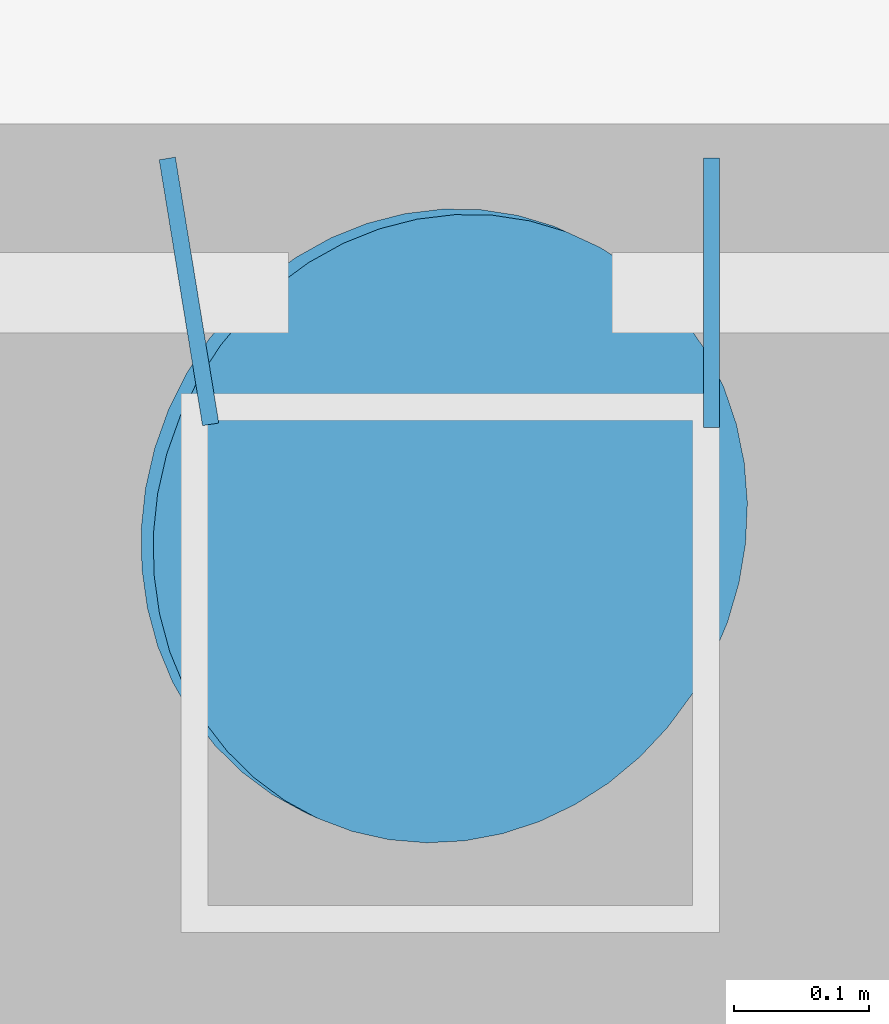
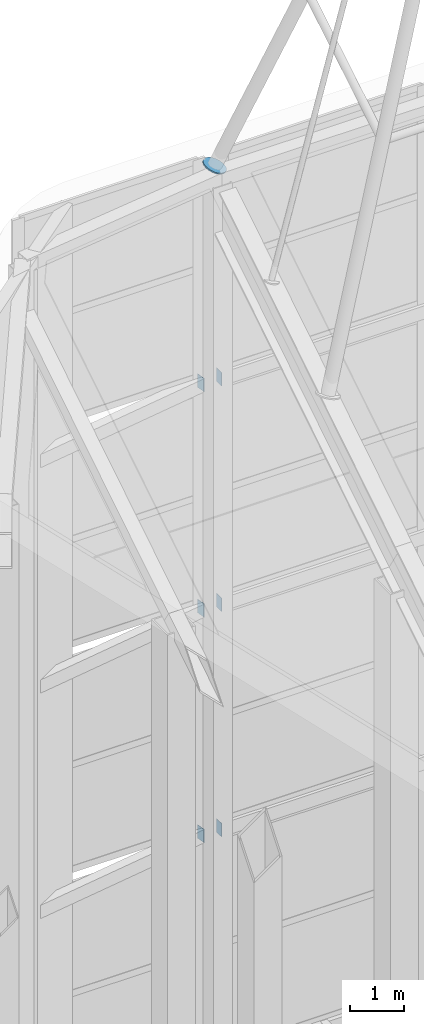
# One storey, part 19 of 25: 7 discrete accessories.
"""IFC4 building model written with IfcOpenShell, lengths in metres."""

from ifc_helpers import new_model, si_unit, direction, frame, origin, origin_2d, place, context, subcontext, project, spatial, rectangle, circle, extrude, element, save


model = new_model("IFC4")

# Units and contexts
model_context = context("Model", 3, precision=1e-05, world=origin(), true_north=direction((0.0, 1.0)))
body_context = subcontext(model_context, "Body", "Model", "MODEL_VIEW")
ifc_project = project(units=[si_unit("LENGTHUNIT", "METRE"), si_unit("AREAUNIT", "SQUARE_METRE"), si_unit("VOLUMEUNIT", "CUBIC_METRE"), si_unit("PLANEANGLEUNIT", "RADIAN"), si_unit("MASSUNIT", "GRAM", prefix="KILO")], contexts=[model_context])

# Site, building, storey
site_placement = place(None, origin())
site = spatial("IfcSite", under=ifc_project, at=site_placement, CompositionType="ELEMENT")
building_placement = place(site_placement, origin())
building = spatial("IfcBuilding", under=site, at=building_placement, Name="Kolab Exchange Tower", CompositionType="ELEMENT")
storey_placement = place(building_placement, frame((0.0, 0.0, 301.89990234375)))
storey = spatial("IfcBuildingStorey", under=building, at=storey_placement, Name="L68", CompositionType="ELEMENT", Elevation=301.89990234375)

# Discrete accessories
for number, where, z_axis, x_axis, name in (
    (1, (-5.0, 16.502685546875, 10.101806640625), (0.986932880776, 0.161131898902, 0.0), (-0.161131898902, 0.986932880776, 0.0), "End cap plate"),
    (2, (-5.0, 16.502685546875, 15.203857421875), (0.986932880776, 0.161131898902, 0.0), (-0.161131898902, 0.986932880776, 0.0), "End cap plate"),
    (3, (-5.0, 16.502685546875, 20.3056640625), (0.986932880776, 0.161131898902, 0.0), (-0.161131898902, 0.986932880776, 0.0), "End cap plate"),
):
    element("IfcDiscreteAccessory", number, at=place(storey_placement, frame(where, z_axis=z_axis, x_axis=x_axis)), inside=storey, Name=name, ObjectType="END CAP PLATE", PredefinedType="USERDEFINED", context=body_context, shape_type="SweptSolid", body=[
        extrude(rectangle(XDim=0.199951171875, YDim=0.300048828125, at=origin_2d()), origin(), (0.0, 0.0, 1.0), 0.01220703125),
    ])
for number, where, z_axis, x_axis, name in (
    (4, (-4.60009765625, 16.502685546875, 10.101806640625), (-1.0, 0.0, 0.0), (0.0, -1.0, 0.0), "End cap plate"),
    (5, (-4.60009765625, 16.502685546875, 15.203857421875), (-1.0, 0.0, 0.0), (0.0, -1.0, 0.0), "End cap plate"),
    (6, (-4.60009765625, 16.502685546875, 20.3056640625), (-1.0, 0.0, 0.0), (0.0, -1.0, 0.0), "End cap plate"),
):
    element("IfcDiscreteAccessory", number, at=place(storey_placement, frame(where, z_axis=z_axis, x_axis=x_axis)), inside=storey, Name=name, ObjectType="END CAP PLATE", PredefinedType="USERDEFINED", context=body_context, shape_type="SweptSolid", body=[
        extrude(rectangle(XDim=0.199951171875, YDim=0.300048828125, at=origin_2d()), origin(), (0.0, 0.0, 1.0), 0.011962890625),
    ])
discrete_accessory_placement = place(storey_placement, frame((-4.800048828125, 16.32763671875, 25.26806640625), z_axis=(-0.361186237805, 0.165950433586, -0.91760827983), x_axis=(-0.417500171551, -0.908676843963, 0.0)))
element("IfcDiscreteAccessory", 7, at=discrete_accessory_placement, inside=storey, Name="Gusset plate", ObjectType="GUSSET PLATE", PredefinedType="USERDEFINED", context=body_context, shape_type="SweptSolid", body=[
    extrude(circle(Radius=0.236572265625, at=origin_2d()), origin(), (0.0, 0.0, 1.0), 0.02490234375),
])

save(model, "model.ifc")
